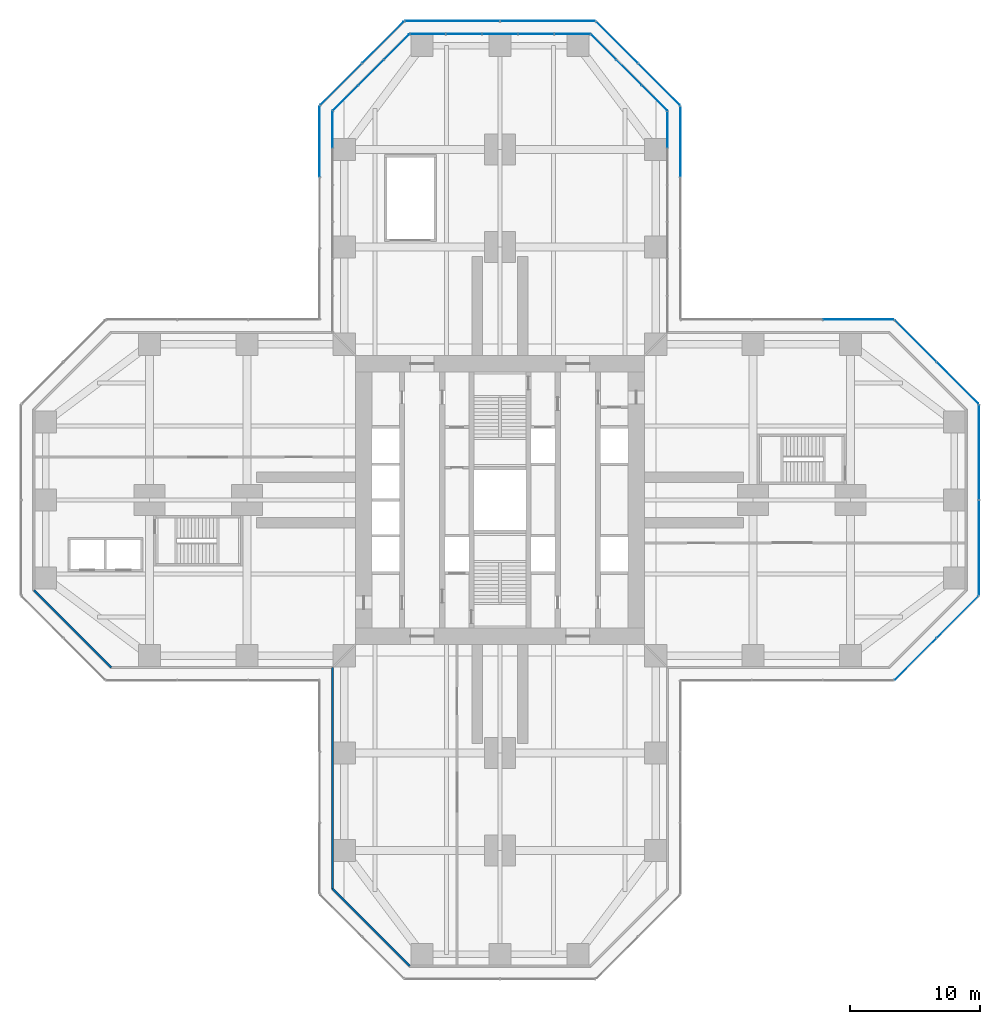
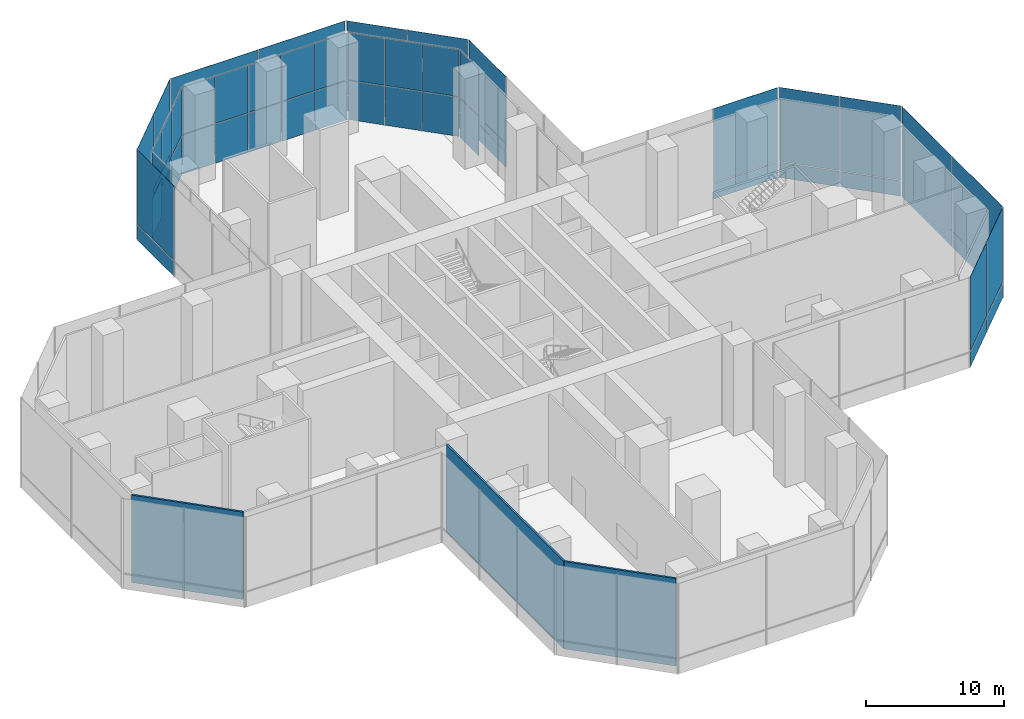
# One storey, part 16 of 25: 56 plates, 3 walls, 14 elements without a shape of their own.
"""IFC4 building model written with IfcOpenShell, lengths in metres."""

from ifc_helpers import new_model, si_unit, direction, frame, frame_2d, origin, origin_2d, place, context, subcontext, project, spatial, rectangle, extrude, material, layer, layer_set, type_object, element, aggregate, save


model = new_model("IFC4")

# Units and contexts
model_context = context("Model", 3, precision=1e-05, world=origin(), true_north=direction((0.0, 1.0)))
body_context = subcontext(model_context, "Body", "Model", "MODEL_VIEW")
ifc_project = project(units=[si_unit("LENGTHUNIT", "METRE"), si_unit("AREAUNIT", "SQUARE_METRE"), si_unit("VOLUMEUNIT", "CUBIC_METRE"), si_unit("PLANEANGLEUNIT", "RADIAN"), si_unit("MASSUNIT", "GRAM", prefix="KILO")], contexts=[model_context])

# Site, building, storey
site_placement = place(None, origin())
site = spatial("IfcSite", under=ifc_project, at=site_placement, CompositionType="ELEMENT")
building_placement = place(site_placement, origin())
building = spatial("IfcBuilding", under=site, at=building_placement, Name="Mizan Broadcast Tower", CompositionType="ELEMENT")
storey_placement = place(building_placement, frame((0.0, 0.0, 7.0)))
storey = spatial("IfcBuildingStorey", under=building, at=storey_placement, Name="L01", CompositionType="ELEMENT", Elevation=7.0)

# Curtain wall, plates
ifc_material_1 = material(Name="Aluminium framed glazing", Category="aluminium")
curtain_wall_type_1 = type_object("IfcCurtainWallType", Name="OUTER SKIN", PredefinedType="USERDEFINED", material=ifc_material_1)
curtain_wall_1_placement = place(storey_placement, origin())
curtain_wall_1 = element("IfcCurtainWall", 1, at=curtain_wall_1_placement, inside=storey, type_object=curtain_wall_type_1, Name="Outer skin L01 E chamfer", ObjectType="OUTER SKIN", PredefinedType="USERDEFINED")
ifc_material_2 = material(Name="Laminated clear glass", Category="glass")
ifc_layer_1 = layer(ifc_material_2, 0.02001953125)
ifc_layer_set_1 = layer_set([ifc_layer_1], Name="Laminated clear glass")
plate_type_1 = type_object("IfcPlateType", Name="OUTER SKIN CLEAR GLASS", PredefinedType="CURTAIN_PANEL", material=ifc_layer_set_1)
plate_1_placement = place(storey_placement, frame((32.018798828125, -12.254150390625, 0.0), z_axis=(0.0, 0.0, 1.0), x_axis=(0.707106781187, 0.707106781187, 0.0)))
plate_1 = element("IfcPlate", 2, at=plate_1_placement, type_object=plate_type_1, Name="Outer skin L01 E chamfer panel 1.1", PredefinedType="CURTAIN_PANEL", context=body_context, shape_type="SweptSolid", body=[
    extrude(rectangle(XDim=4.495361328125, YDim=0.02001953125, at=origin_2d()), origin(), (0.0, 0.0, 1.0), 1.3701171875),
])
plate_2_placement = place(storey_placement, frame((32.018798828125, -12.254150390625, 1.43017578125), z_axis=(0.0, 0.0, 1.0), x_axis=(0.707106781187, 0.707106781187, 0.0)))
plate_2 = element("IfcPlate", 3, at=plate_2_placement, type_object=plate_type_1, Name="Outer skin L01 E chamfer panel 1.2", PredefinedType="CURTAIN_PANEL", context=body_context, shape_type="SweptSolid", body=[
    extrude(rectangle(XDim=4.495361328125, YDim=0.02001953125, at=origin_2d()), origin(), (0.0, 0.0, 1.0), 6.570068359375),
])

curtain_wall_2_placement = place(storey_placement, origin())
curtain_wall_2 = element("IfcCurtainWall", 4, at=curtain_wall_2_placement, inside=storey, type_object=curtain_wall_type_1, Name="Outer skin L01 E end", ObjectType="OUTER SKIN", PredefinedType="USERDEFINED")
plate_3_placement = place(storey_placement, frame((36.89990234375, -3.66650390625, 0.0), z_axis=(0.0, 0.0, 1.0), x_axis=(0.0, 1.0, 0.0)))
plate_3 = element("IfcPlate", 5, at=plate_3_placement, type_object=plate_type_1, Name="Outer skin L01 E end panel 1.1", PredefinedType="CURTAIN_PANEL", context=body_context, shape_type="SweptSolid", body=[
    extrude(rectangle(XDim=7.252685546875, YDim=0.02001953125, at=origin_2d()), origin(), (0.0, 0.0, 1.0), 1.3701171875),
])
plate_4_placement = place(storey_placement, frame((36.89990234375, -3.66650390625, 1.43017578125), z_axis=(0.0, 0.0, 1.0), x_axis=(0.0, 1.0, 0.0)))
plate_4 = element("IfcPlate", 6, at=plate_4_placement, type_object=plate_type_1, Name="Outer skin L01 E end panel 1.2", PredefinedType="CURTAIN_PANEL", context=body_context, shape_type="SweptSolid", body=[
    extrude(rectangle(XDim=7.252685546875, YDim=0.02001953125, at=origin_2d()), origin(), (0.0, 0.0, 1.0), 6.570068359375),
])

curtain_wall_3_placement = place(storey_placement, origin())
curtain_wall_3 = element("IfcCurtainWall", 7, at=curtain_wall_3_placement, inside=storey, type_object=curtain_wall_type_1, Name="Outer skin L01 E chamfer", ObjectType="OUTER SKIN", PredefinedType="USERDEFINED")
plate_5_placement = place(storey_placement, frame((35.254150390625, 9.018798828125, 0.0), z_axis=(0.0, 0.0, 1.0), x_axis=(-0.707106781187, 0.707106781187, 0.0)))
plate_5 = element("IfcPlate", 8, at=plate_5_placement, type_object=plate_type_1, Name="Outer skin L01 E chamfer panel 1.1", PredefinedType="CURTAIN_PANEL", context=body_context, shape_type="SweptSolid", body=[
    extrude(rectangle(XDim=4.495361328125, YDim=0.02001953125, at=origin_2d()), origin(), (0.0, 0.0, 1.0), 1.3701171875),
])
plate_6_placement = place(storey_placement, frame((35.254150390625, 9.018798828125, 1.43017578125), z_axis=(0.0, 0.0, 1.0), x_axis=(-0.707106781187, 0.707106781187, 0.0)))
plate_6 = element("IfcPlate", 9, at=plate_6_placement, type_object=plate_type_1, Name="Outer skin L01 E chamfer panel 1.2", PredefinedType="CURTAIN_PANEL", context=body_context, shape_type="SweptSolid", body=[
    extrude(rectangle(XDim=4.495361328125, YDim=0.02001953125, at=origin_2d()), origin(), (0.0, 0.0, 1.0), 6.570068359375),
])

curtain_wall_4_placement = place(storey_placement, origin())
curtain_wall_4 = element("IfcCurtainWall", 10, at=curtain_wall_4_placement, inside=storey, type_object=curtain_wall_type_1, Name="Outer skin L01 E side", ObjectType="OUTER SKIN", PredefinedType="USERDEFINED")
plate_7_placement = place(storey_placement, frame((27.607421875, 13.89990234375, 0.0), z_axis=(0.0, 0.0, 1.0), x_axis=(-1.0, 0.0, 0.0)))
plate_7 = element("IfcPlate", 11, at=plate_7_placement, type_object=plate_type_1, Name="Outer skin L01 E side panel 1.1", PredefinedType="CURTAIN_PANEL", context=body_context, shape_type="SweptSolid", body=[
    extrude(rectangle(XDim=5.370849609375, YDim=0.02001953125, at=origin_2d()), origin(), (0.0, 0.0, 1.0), 1.3701171875),
])
plate_8_placement = place(storey_placement, frame((27.607421875, 13.89990234375, 1.43017578125), z_axis=(0.0, 0.0, 1.0), x_axis=(-1.0, 0.0, 0.0)))
plate_8 = element("IfcPlate", 12, at=plate_8_placement, type_object=plate_type_1, Name="Outer skin L01 E side panel 1.2", PredefinedType="CURTAIN_PANEL", context=body_context, shape_type="SweptSolid", body=[
    extrude(rectangle(XDim=5.370849609375, YDim=0.02001953125, at=origin_2d()), origin(), (0.0, 0.0, 1.0), 6.570068359375),
])
aggregate(curtain_wall_4, [plate_7, plate_8])

curtain_wall_5_placement = place(storey_placement, origin())
curtain_wall_5 = element("IfcCurtainWall", 13, at=curtain_wall_5_placement, inside=storey, type_object=curtain_wall_type_1, Name="Outer skin L01 N side", ObjectType="OUTER SKIN", PredefinedType="USERDEFINED")
plate_9_placement = place(storey_placement, frame((13.89990234375, 27.607421875, 0.0), z_axis=(0.0, 0.0, 1.0), x_axis=(0.0, 1.0, 0.0)))
plate_9 = element("IfcPlate", 14, at=plate_9_placement, type_object=plate_type_1, Name="Outer skin L01 N side panel 3.1", PredefinedType="CURTAIN_PANEL", context=body_context, shape_type="SweptSolid", body=[
    extrude(rectangle(XDim=5.370849609375, YDim=0.02001953125, at=origin_2d()), origin(), (0.0, 0.0, 1.0), 1.3701171875),
])
plate_10_placement = place(storey_placement, frame((13.89990234375, 27.607421875, 1.43017578125), z_axis=(0.0, 0.0, 1.0), x_axis=(0.0, 1.0, 0.0)))
plate_10 = element("IfcPlate", 15, at=plate_10_placement, type_object=plate_type_1, Name="Outer skin L01 N side panel 3.2", PredefinedType="CURTAIN_PANEL", context=body_context, shape_type="SweptSolid", body=[
    extrude(rectangle(XDim=5.370849609375, YDim=0.02001953125, at=origin_2d()), origin(), (0.0, 0.0, 1.0), 6.570068359375),
])
aggregate(curtain_wall_5, [plate_9, plate_10])

curtain_wall_6_placement = place(storey_placement, origin())
curtain_wall_6 = element("IfcCurtainWall", 16, at=curtain_wall_6_placement, inside=storey, type_object=curtain_wall_type_1, Name="Outer skin L01 N chamfer", ObjectType="OUTER SKIN", PredefinedType="USERDEFINED")
plate_11_placement = place(storey_placement, frame((12.254150390625, 32.018798828125, 0.0), z_axis=(0.0, 0.0, 1.0), x_axis=(-0.707106781187, 0.707106781187, 0.0)))
plate_11 = element("IfcPlate", 17, at=plate_11_placement, type_object=plate_type_1, Name="Outer skin L01 N chamfer panel 1.1", PredefinedType="CURTAIN_PANEL", context=body_context, shape_type="SweptSolid", body=[
    extrude(rectangle(XDim=4.495361328125, YDim=0.02001953125, at=origin_2d()), origin(), (0.0, 0.0, 1.0), 1.3701171875),
])
plate_12_placement = place(storey_placement, frame((12.254150390625, 32.018798828125, 1.43017578125), z_axis=(0.0, 0.0, 1.0), x_axis=(-0.707106781187, 0.707106781187, 0.0)))
plate_12 = element("IfcPlate", 18, at=plate_12_placement, type_object=plate_type_1, Name="Outer skin L01 N chamfer panel 1.2", PredefinedType="CURTAIN_PANEL", context=body_context, shape_type="SweptSolid", body=[
    extrude(rectangle(XDim=4.495361328125, YDim=0.02001953125, at=origin_2d()), origin(), (0.0, 0.0, 1.0), 6.570068359375),
])

curtain_wall_7_placement = place(storey_placement, origin())
curtain_wall_7 = element("IfcCurtainWall", 19, at=curtain_wall_7_placement, inside=storey, type_object=curtain_wall_type_1, Name="Outer skin L01 N end", ObjectType="OUTER SKIN", PredefinedType="USERDEFINED")
plate_13_placement = place(storey_placement, frame((3.66650390625, 36.89990234375, 0.0), z_axis=(0.0, 0.0, 1.0), x_axis=(-1.0, 0.0, 0.0)))
plate_13 = element("IfcPlate", 20, at=plate_13_placement, type_object=plate_type_1, Name="Outer skin L01 N end panel 1.1", PredefinedType="CURTAIN_PANEL", context=body_context, shape_type="SweptSolid", body=[
    extrude(rectangle(XDim=7.252685546875, YDim=0.02001953125, at=origin_2d()), origin(), (0.0, 0.0, 1.0), 1.3701171875),
])
plate_14_placement = place(storey_placement, frame((3.66650390625, 36.89990234375, 1.43017578125), z_axis=(0.0, 0.0, 1.0), x_axis=(-1.0, 0.0, 0.0)))
plate_14 = element("IfcPlate", 21, at=plate_14_placement, type_object=plate_type_1, Name="Outer skin L01 N end panel 1.2", PredefinedType="CURTAIN_PANEL", context=body_context, shape_type="SweptSolid", body=[
    extrude(rectangle(XDim=7.252685546875, YDim=0.02001953125, at=origin_2d()), origin(), (0.0, 0.0, 1.0), 6.570068359375),
])
plate_15_placement = place(storey_placement, frame((-3.66650390625, 36.89990234375, 0.0), z_axis=(0.0, 0.0, 1.0), x_axis=(-1.0, 0.0, 0.0)))
plate_15 = element("IfcPlate", 22, at=plate_15_placement, type_object=plate_type_1, Name="Outer skin L01 N end panel 2.1", PredefinedType="CURTAIN_PANEL", context=body_context, shape_type="SweptSolid", body=[
    extrude(rectangle(XDim=7.252685546875, YDim=0.02001953125, at=origin_2d()), origin(), (0.0, 0.0, 1.0), 1.3701171875),
])
plate_16_placement = place(storey_placement, frame((-3.66650390625, 36.89990234375, 1.43017578125), z_axis=(0.0, 0.0, 1.0), x_axis=(-1.0, 0.0, 0.0)))
plate_16 = element("IfcPlate", 23, at=plate_16_placement, type_object=plate_type_1, Name="Outer skin L01 N end panel 2.2", PredefinedType="CURTAIN_PANEL", context=body_context, shape_type="SweptSolid", body=[
    extrude(rectangle(XDim=7.252685546875, YDim=0.02001953125, at=origin_2d()), origin(), (0.0, 0.0, 1.0), 6.570068359375),
])
aggregate(curtain_wall_7, [plate_13, plate_14, plate_15, plate_16])

curtain_wall_8_placement = place(storey_placement, origin())
curtain_wall_8 = element("IfcCurtainWall", 24, at=curtain_wall_8_placement, inside=storey, type_object=curtain_wall_type_1, Name="Outer skin L01 N chamfer", ObjectType="OUTER SKIN", PredefinedType="USERDEFINED")
plate_17_placement = place(storey_placement, frame((-9.018798828125, 35.254150390625, 0.0), z_axis=(0.0, 0.0, 1.0), x_axis=(-0.707106781187, -0.707106781187, 0.0)))
plate_17 = element("IfcPlate", 25, at=plate_17_placement, type_object=plate_type_1, Name="Outer skin L01 N chamfer panel 1.1", PredefinedType="CURTAIN_PANEL", context=body_context, shape_type="SweptSolid", body=[
    extrude(rectangle(XDim=4.495361328125, YDim=0.02001953125, at=origin_2d()), origin(), (0.0, 0.0, 1.0), 1.3701171875),
])
plate_18_placement = place(storey_placement, frame((-9.018798828125, 35.254150390625, 1.43017578125), z_axis=(0.0, 0.0, 1.0), x_axis=(-0.707106781187, -0.707106781187, 0.0)))
plate_18 = element("IfcPlate", 26, at=plate_18_placement, type_object=plate_type_1, Name="Outer skin L01 N chamfer panel 1.2", PredefinedType="CURTAIN_PANEL", context=body_context, shape_type="SweptSolid", body=[
    extrude(rectangle(XDim=4.495361328125, YDim=0.02001953125, at=origin_2d()), origin(), (0.0, 0.0, 1.0), 6.570068359375),
])

curtain_wall_9_placement = place(storey_placement, origin())
curtain_wall_9 = element("IfcCurtainWall", 27, at=curtain_wall_9_placement, inside=storey, type_object=curtain_wall_type_1, Name="Outer skin L01 N side", ObjectType="OUTER SKIN", PredefinedType="USERDEFINED")
plate_19_placement = place(storey_placement, frame((-13.89990234375, 27.607421875, 0.0), z_axis=(0.0, 0.0, 1.0), x_axis=(0.0, -1.0, 0.0)))
plate_19 = element("IfcPlate", 28, at=plate_19_placement, type_object=plate_type_1, Name="Outer skin L01 N side panel 1.1", PredefinedType="CURTAIN_PANEL", context=body_context, shape_type="SweptSolid", body=[
    extrude(rectangle(XDim=5.370849609375, YDim=0.02001953125, at=origin_2d()), origin(), (0.0, 0.0, 1.0), 1.3701171875),
])
plate_20_placement = place(storey_placement, frame((-13.89990234375, 27.607421875, 1.43017578125), z_axis=(0.0, 0.0, 1.0), x_axis=(0.0, -1.0, 0.0)))
plate_20 = element("IfcPlate", 29, at=plate_20_placement, type_object=plate_type_1, Name="Outer skin L01 N side panel 1.2", PredefinedType="CURTAIN_PANEL", context=body_context, shape_type="SweptSolid", body=[
    extrude(rectangle(XDim=5.370849609375, YDim=0.02001953125, at=origin_2d()), origin(), (0.0, 0.0, 1.0), 6.570068359375),
])
aggregate(curtain_wall_9, [plate_19, plate_20])

# Plate
ifc_material_3 = material(Name="Perforated aluminium, pale anodised", Category="aluminium")
ifc_layer_2 = layer(ifc_material_3, 0.011962890625)
ifc_layer_set_2 = layer_set([ifc_layer_2], Name="Perforated aluminium, pale anodised")
plate_type_2 = type_object("IfcPlateType", Name="OUTER SKIN PERFORATED SCREEN", PredefinedType="USERDEFINED", material=ifc_layer_set_2)
plate_21_placement = place(storey_placement, frame((35.254150390625, -9.018798828125, 0.0), z_axis=(0.0, 0.0, 1.0), x_axis=(0.707106781187, 0.707106781187, 0.0)))
plate_21 = element("IfcPlate", 30, at=plate_21_placement, type_object=plate_type_2, Name="Outer skin L01 E chamfer panel 2.1", ObjectType="SCREEN", PredefinedType="USERDEFINED", context=body_context, shape_type="SweptSolid", body=[
    extrude(rectangle(XDim=4.495361328125, YDim=0.011962890625, at=origin_2d()), origin(), (0.0, 0.0, 1.0), 1.3701171875),
])

plate_22_placement = place(storey_placement, frame((35.254150390625, -9.018798828125, 1.43017578125), z_axis=(0.0, 0.0, 1.0), x_axis=(0.707106781187, 0.707106781187, 0.0)))
plate_22 = element("IfcPlate", 31, at=plate_22_placement, type_object=plate_type_2, Name="Outer skin L01 E chamfer panel 2.2", ObjectType="SCREEN", PredefinedType="USERDEFINED", context=body_context, shape_type="SweptSolid", body=[
    extrude(rectangle(XDim=4.495361328125, YDim=0.011962890625, at=origin_2d()), origin(), (0.0, 0.0, 1.0), 6.570068359375),
])

aggregate(curtain_wall_1, [plate_1, plate_2, plate_21, plate_22])

plate_23_placement = place(storey_placement, frame((36.89990234375, 3.66650390625, 0.0), z_axis=(0.0, 0.0, 1.0), x_axis=(0.0, 1.0, 0.0)))
plate_23 = element("IfcPlate", 32, at=plate_23_placement, type_object=plate_type_2, Name="Outer skin L01 E end panel 2.1", ObjectType="SCREEN", PredefinedType="USERDEFINED", context=body_context, shape_type="SweptSolid", body=[
    extrude(rectangle(XDim=7.252685546875, YDim=0.011962890625, at=origin_2d()), origin(), (0.0, 0.0, 1.0), 1.3701171875),
])

plate_24_placement = place(storey_placement, frame((36.89990234375, 3.66650390625, 1.43017578125), z_axis=(0.0, 0.0, 1.0), x_axis=(0.0, 1.0, 0.0)))
plate_24 = element("IfcPlate", 33, at=plate_24_placement, type_object=plate_type_2, Name="Outer skin L01 E end panel 2.2", ObjectType="SCREEN", PredefinedType="USERDEFINED", context=body_context, shape_type="SweptSolid", body=[
    extrude(rectangle(XDim=7.252685546875, YDim=0.011962890625, at=origin_2d()), origin(), (0.0, 0.0, 1.0), 6.570068359375),
])

aggregate(curtain_wall_2, [plate_3, plate_4, plate_23, plate_24])

plate_25_placement = place(storey_placement, frame((32.018798828125, 12.254150390625, 0.0), z_axis=(0.0, 0.0, 1.0), x_axis=(-0.707106781187, 0.707106781187, 0.0)))
plate_25 = element("IfcPlate", 34, at=plate_25_placement, type_object=plate_type_2, Name="Outer skin L01 E chamfer panel 2.1", ObjectType="SCREEN", PredefinedType="USERDEFINED", context=body_context, shape_type="SweptSolid", body=[
    extrude(rectangle(XDim=4.495361328125, YDim=0.011962890625, at=origin_2d()), origin(), (0.0, 0.0, 1.0), 1.3701171875),
])

plate_26_placement = place(storey_placement, frame((32.018798828125, 12.254150390625, 1.43017578125), z_axis=(0.0, 0.0, 1.0), x_axis=(-0.707106781187, 0.707106781187, 0.0)))
plate_26 = element("IfcPlate", 35, at=plate_26_placement, type_object=plate_type_2, Name="Outer skin L01 E chamfer panel 2.2", ObjectType="SCREEN", PredefinedType="USERDEFINED", context=body_context, shape_type="SweptSolid", body=[
    extrude(rectangle(XDim=4.495361328125, YDim=0.011962890625, at=origin_2d()), origin(), (0.0, 0.0, 1.0), 6.570068359375),
])

aggregate(curtain_wall_3, [plate_5, plate_6, plate_25, plate_26])

plate_27_placement = place(storey_placement, frame((9.018798828125, 35.254150390625, 0.0), z_axis=(0.0, 0.0, 1.0), x_axis=(-0.707106781187, 0.707106781187, 0.0)))
plate_27 = element("IfcPlate", 36, at=plate_27_placement, type_object=plate_type_2, Name="Outer skin L01 N chamfer panel 2.1", ObjectType="SCREEN", PredefinedType="USERDEFINED", context=body_context, shape_type="SweptSolid", body=[
    extrude(rectangle(XDim=4.495361328125, YDim=0.011962890625, at=origin_2d()), origin(), (0.0, 0.0, 1.0), 1.3701171875),
])

plate_28_placement = place(storey_placement, frame((9.018798828125, 35.254150390625, 1.43017578125), z_axis=(0.0, 0.0, 1.0), x_axis=(-0.707106781187, 0.707106781187, 0.0)))
plate_28 = element("IfcPlate", 37, at=plate_28_placement, type_object=plate_type_2, Name="Outer skin L01 N chamfer panel 2.2", ObjectType="SCREEN", PredefinedType="USERDEFINED", context=body_context, shape_type="SweptSolid", body=[
    extrude(rectangle(XDim=4.495361328125, YDim=0.011962890625, at=origin_2d()), origin(), (0.0, 0.0, 1.0), 6.570068359375),
])

aggregate(curtain_wall_6, [plate_11, plate_12, plate_27, plate_28])

plate_29_placement = place(storey_placement, frame((-12.254150390625, 32.018798828125, 0.0), z_axis=(0.0, 0.0, 1.0), x_axis=(-0.707106781187, -0.707106781187, 0.0)))
plate_29 = element("IfcPlate", 38, at=plate_29_placement, type_object=plate_type_2, Name="Outer skin L01 N chamfer panel 2.1", ObjectType="SCREEN", PredefinedType="USERDEFINED", context=body_context, shape_type="SweptSolid", body=[
    extrude(rectangle(XDim=4.495361328125, YDim=0.011962890625, at=origin_2d()), origin(), (0.0, 0.0, 1.0), 1.3701171875),
])

plate_30_placement = place(storey_placement, frame((-12.254150390625, 32.018798828125, 1.43017578125), z_axis=(0.0, 0.0, 1.0), x_axis=(-0.707106781187, -0.707106781187, 0.0)))
plate_30 = element("IfcPlate", 39, at=plate_30_placement, type_object=plate_type_2, Name="Outer skin L01 N chamfer panel 2.2", ObjectType="SCREEN", PredefinedType="USERDEFINED", context=body_context, shape_type="SweptSolid", body=[
    extrude(rectangle(XDim=4.495361328125, YDim=0.011962890625, at=origin_2d()), origin(), (0.0, 0.0, 1.0), 6.570068359375),
])

aggregate(curtain_wall_8, [plate_17, plate_18, plate_29, plate_30])

# Curtain wall, plates
ifc_material_4 = material(Name="Aluminium framed glazing", Category="aluminium")
curtain_wall_type_2 = type_object("IfcCurtainWallType", Name="PODIUM CURTAIN WALL", PredefinedType="USERDEFINED", material=ifc_material_4)
curtain_wall_10_placement = place(storey_placement, origin())
curtain_wall_10 = element("IfcCurtainWall", 40, at=curtain_wall_10_placement, inside=storey, type_object=curtain_wall_type_2, Name="Podium curtain wall L01 N side", ObjectType="PODIUM CURTAIN WALL", PredefinedType="USERDEFINED")
ifc_material_5 = material(Name="Double glazing, clear laminated", Category="glass")
ifc_layer_3 = layer(ifc_material_5, 0.031982421875)
ifc_layer_set_3 = layer_set([ifc_layer_3], Name="Double glazing, clear laminated")
plate_type_3 = type_object("IfcPlateType", Name="PODIUM GLAZING UNIT", PredefinedType="CURTAIN_PANEL", material=ifc_layer_set_3)
plate_31_placement = place(storey_placement, frame((12.89990234375, 28.52197265625, 0.0), z_axis=(0.0, 0.0, 1.0), x_axis=(0.0, 1.0, 0.0)))
plate_31 = element("IfcPlate", 41, at=plate_31_placement, type_object=plate_type_3, Name="Podium curtain wall L01 N side panel 6.1", PredefinedType="CURTAIN_PANEL", context=body_context, shape_type="SweptSolid", body=[
    extrude(rectangle(XDim=2.753173828125, YDim=0.031982421875, at=origin_2d()), origin(), (0.0, 0.0, 1.0), 3.469970703125),
])
plate_32_placement = place(storey_placement, frame((12.89990234375, 28.52197265625, 3.5302734375), z_axis=(0.0, 0.0, 1.0), x_axis=(0.0, 1.0, 0.0)))
plate_32 = element("IfcPlate", 42, at=plate_32_placement, type_object=plate_type_3, Name="Podium curtain wall L01 N side panel 6.2", PredefinedType="CURTAIN_PANEL", context=body_context, shape_type="SweptSolid", body=[
    extrude(rectangle(XDim=2.753173828125, YDim=0.031982421875, at=origin_2d()), origin(), (0.0, 0.0, 1.0), 4.159912109375),
])
aggregate(curtain_wall_10, [plate_31, plate_32])

curtain_wall_11_placement = place(storey_placement, origin())
curtain_wall_11 = element("IfcCurtainWall", 43, at=curtain_wall_11_placement, inside=storey, type_object=curtain_wall_type_2, Name="Podium curtain wall L01 N chamfer", ObjectType="PODIUM CURTAIN WALL", PredefinedType="USERDEFINED")
plate_33_placement = place(storey_placement, frame((11.899169921875, 30.95947265625, 0.0), z_axis=(0.0, 0.0, 1.0), x_axis=(-0.707106781187, 0.707106781187, 0.0)))
plate_33 = element("IfcPlate", 44, at=plate_33_placement, type_object=plate_type_3, Name="Podium curtain wall L01 N chamfer panel 1.1", PredefinedType="CURTAIN_PANEL", context=body_context, shape_type="SweptSolid", body=[
    extrude(rectangle(XDim=2.710693359375, YDim=0.031982421875, at=origin_2d()), origin(), (0.0, 0.0, 1.0), 3.469970703125),
])
plate_34_placement = place(storey_placement, frame((11.899169921875, 30.95947265625, 3.5302734375), z_axis=(0.0, 0.0, 1.0), x_axis=(-0.707106781187, 0.707106781187, 0.0)))
plate_34 = element("IfcPlate", 45, at=plate_34_placement, type_object=plate_type_3, Name="Podium curtain wall L01 N chamfer panel 1.2", PredefinedType="CURTAIN_PANEL", context=body_context, shape_type="SweptSolid", body=[
    extrude(rectangle(XDim=2.710693359375, YDim=0.031982421875, at=origin_2d()), origin(), (0.0, 0.0, 1.0), 4.159912109375),
])
plate_35_placement = place(storey_placement, frame((9.92919921875, 32.92919921875, 0.0), z_axis=(0.0, 0.0, 1.0), x_axis=(-0.707106781187, 0.707106781187, 0.0)))
plate_35 = element("IfcPlate", 46, at=plate_35_placement, type_object=plate_type_3, Name="Podium curtain wall L01 N chamfer panel 2.1", PredefinedType="CURTAIN_PANEL", context=body_context, shape_type="SweptSolid", body=[
    extrude(rectangle(XDim=2.74072265625, YDim=0.031982421875, at=origin_2d()), origin(), (0.0, 0.0, 1.0), 3.469970703125),
])
plate_36_placement = place(storey_placement, frame((9.92919921875, 32.92919921875, 3.5302734375), z_axis=(0.0, 0.0, 1.0), x_axis=(-0.707106781187, 0.707106781187, 0.0)))
plate_36 = element("IfcPlate", 47, at=plate_36_placement, type_object=plate_type_3, Name="Podium curtain wall L01 N chamfer panel 2.2", PredefinedType="CURTAIN_PANEL", context=body_context, shape_type="SweptSolid", body=[
    extrude(rectangle(XDim=2.74072265625, YDim=0.031982421875, at=origin_2d()), origin(), (0.0, 0.0, 1.0), 4.159912109375),
])
plate_37_placement = place(storey_placement, frame((7.95947265625, 34.899169921875, 0.0), z_axis=(0.0, 0.0, 1.0), x_axis=(-0.707106781187, 0.707106781187, 0.0)))
plate_37 = element("IfcPlate", 48, at=plate_37_placement, type_object=plate_type_3, Name="Podium curtain wall L01 N chamfer panel 3.1", PredefinedType="CURTAIN_PANEL", context=body_context, shape_type="SweptSolid", body=[
    extrude(rectangle(XDim=2.710693359375, YDim=0.031982421875, at=origin_2d()), origin(), (0.0, 0.0, 1.0), 3.469970703125),
])
plate_38_placement = place(storey_placement, frame((7.95947265625, 34.899169921875, 3.5302734375), z_axis=(0.0, 0.0, 1.0), x_axis=(-0.707106781187, 0.707106781187, 0.0)))
plate_38 = element("IfcPlate", 49, at=plate_38_placement, type_object=plate_type_3, Name="Podium curtain wall L01 N chamfer panel 3.2", PredefinedType="CURTAIN_PANEL", context=body_context, shape_type="SweptSolid", body=[
    extrude(rectangle(XDim=2.710693359375, YDim=0.031982421875, at=origin_2d()), origin(), (0.0, 0.0, 1.0), 4.159912109375),
])
aggregate(curtain_wall_11, [plate_33, plate_34, plate_35, plate_36, plate_37, plate_38])

curtain_wall_12_placement = place(storey_placement, origin())
curtain_wall_12 = element("IfcCurtainWall", 50, at=curtain_wall_12_placement, inside=storey, type_object=curtain_wall_type_2, Name="Podium curtain wall L01 N end", ObjectType="PODIUM CURTAIN WALL", PredefinedType="USERDEFINED")
plate_39_placement = place(storey_placement, frame((5.5517578125, 35.89990234375, 0.0), z_axis=(0.0, 0.0, 1.0), x_axis=(-1.0, 0.0, 0.0)))
plate_39 = element("IfcPlate", 51, at=plate_39_placement, type_object=plate_type_3, Name="Podium curtain wall L01 N end panel 1.1", PredefinedType="CURTAIN_PANEL", context=body_context, shape_type="SweptSolid", body=[
    extrude(rectangle(XDim=2.693359375, YDim=0.031982421875, at=origin_2d()), origin(), (0.0, 0.0, 1.0), 3.469970703125),
])
plate_40_placement = place(storey_placement, frame((5.5517578125, 35.89990234375, 3.5302734375), z_axis=(0.0, 0.0, 1.0), x_axis=(-1.0, 0.0, 0.0)))
plate_40 = element("IfcPlate", 52, at=plate_40_placement, type_object=plate_type_3, Name="Podium curtain wall L01 N end panel 1.2", PredefinedType="CURTAIN_PANEL", context=body_context, shape_type="SweptSolid", body=[
    extrude(rectangle(XDim=2.693359375, YDim=0.031982421875, at=origin_2d()), origin(), (0.0, 0.0, 1.0), 4.159912109375),
])
plate_41_placement = place(storey_placement, frame((2.783447265625, 35.89990234375, 0.0), z_axis=(0.0, 0.0, 1.0), x_axis=(-1.0, 0.0, 0.0)))
plate_41 = element("IfcPlate", 53, at=plate_41_placement, type_object=plate_type_3, Name="Podium curtain wall L01 N end panel 2.1", PredefinedType="CURTAIN_PANEL", context=body_context, shape_type="SweptSolid", body=[
    extrude(rectangle(XDim=2.723388671875, YDim=0.031982421875, at=origin_2d()), origin(), (0.0, 0.0, 1.0), 3.469970703125),
])
plate_42_placement = place(storey_placement, frame((2.783447265625, 35.89990234375, 3.5302734375), z_axis=(0.0, 0.0, 1.0), x_axis=(-1.0, 0.0, 0.0)))
plate_42 = element("IfcPlate", 54, at=plate_42_placement, type_object=plate_type_3, Name="Podium curtain wall L01 N end panel 2.2", PredefinedType="CURTAIN_PANEL", context=body_context, shape_type="SweptSolid", body=[
    extrude(rectangle(XDim=2.723388671875, YDim=0.031982421875, at=origin_2d()), origin(), (0.0, 0.0, 1.0), 4.159912109375),
])
plate_43_placement = place(storey_placement, frame((0.0, 35.89990234375, 0.0), z_axis=(0.0, 0.0, 1.0), x_axis=(-1.0, 0.0, 0.0)))
plate_43 = element("IfcPlate", 55, at=plate_43_placement, type_object=plate_type_3, Name="Podium curtain wall L01 N end panel 3.1", PredefinedType="CURTAIN_PANEL", context=body_context, shape_type="SweptSolid", body=[
    extrude(rectangle(XDim=2.723388671875, YDim=0.031982421875, at=origin_2d()), origin(), (0.0, 0.0, 1.0), 3.469970703125),
])
plate_44_placement = place(storey_placement, frame((0.0, 35.89990234375, 3.5302734375), z_axis=(0.0, 0.0, 1.0), x_axis=(-1.0, 0.0, 0.0)))
plate_44 = element("IfcPlate", 56, at=plate_44_placement, type_object=plate_type_3, Name="Podium curtain wall L01 N end panel 3.2", PredefinedType="CURTAIN_PANEL", context=body_context, shape_type="SweptSolid", body=[
    extrude(rectangle(XDim=2.723388671875, YDim=0.031982421875, at=origin_2d()), origin(), (0.0, 0.0, 1.0), 4.159912109375),
])
plate_45_placement = place(storey_placement, frame((-2.783447265625, 35.89990234375, 0.0), z_axis=(0.0, 0.0, 1.0), x_axis=(-1.0, 0.0, 0.0)))
plate_45 = element("IfcPlate", 57, at=plate_45_placement, type_object=plate_type_3, Name="Podium curtain wall L01 N end panel 4.1", PredefinedType="CURTAIN_PANEL", context=body_context, shape_type="SweptSolid", body=[
    extrude(rectangle(XDim=2.723388671875, YDim=0.031982421875, at=origin_2d()), origin(), (0.0, 0.0, 1.0), 3.469970703125),
])
plate_46_placement = place(storey_placement, frame((-2.783447265625, 35.89990234375, 3.5302734375), z_axis=(0.0, 0.0, 1.0), x_axis=(-1.0, 0.0, 0.0)))
plate_46 = element("IfcPlate", 58, at=plate_46_placement, type_object=plate_type_3, Name="Podium curtain wall L01 N end panel 4.2", PredefinedType="CURTAIN_PANEL", context=body_context, shape_type="SweptSolid", body=[
    extrude(rectangle(XDim=2.723388671875, YDim=0.031982421875, at=origin_2d()), origin(), (0.0, 0.0, 1.0), 4.159912109375),
])
plate_47_placement = place(storey_placement, frame((-5.5517578125, 35.89990234375, 0.0), z_axis=(0.0, 0.0, 1.0), x_axis=(-1.0, 0.0, 0.0)))
plate_47 = element("IfcPlate", 59, at=plate_47_placement, type_object=plate_type_3, Name="Podium curtain wall L01 N end panel 5.1", PredefinedType="CURTAIN_PANEL", context=body_context, shape_type="SweptSolid", body=[
    extrude(rectangle(XDim=2.693359375, YDim=0.031982421875, at=origin_2d()), origin(), (0.0, 0.0, 1.0), 3.469970703125),
])
plate_48_placement = place(storey_placement, frame((-5.5517578125, 35.89990234375, 3.5302734375), z_axis=(0.0, 0.0, 1.0), x_axis=(-1.0, 0.0, 0.0)))
plate_48 = element("IfcPlate", 60, at=plate_48_placement, type_object=plate_type_3, Name="Podium curtain wall L01 N end panel 5.2", PredefinedType="CURTAIN_PANEL", context=body_context, shape_type="SweptSolid", body=[
    extrude(rectangle(XDim=2.693359375, YDim=0.031982421875, at=origin_2d()), origin(), (0.0, 0.0, 1.0), 4.159912109375),
])
aggregate(curtain_wall_12, [plate_39, plate_40, plate_41, plate_42, plate_43, plate_44, plate_45, plate_46, plate_47, plate_48])

curtain_wall_13_placement = place(storey_placement, origin())
curtain_wall_13 = element("IfcCurtainWall", 61, at=curtain_wall_13_placement, inside=storey, type_object=curtain_wall_type_2, Name="Podium curtain wall L01 N chamfer", ObjectType="PODIUM CURTAIN WALL", PredefinedType="USERDEFINED")
plate_49_placement = place(storey_placement, frame((-7.95947265625, 34.899169921875, 0.0), z_axis=(0.0, 0.0, 1.0), x_axis=(-0.707106781187, -0.707106781187, 0.0)))
plate_49 = element("IfcPlate", 62, at=plate_49_placement, type_object=plate_type_3, Name="Podium curtain wall L01 N chamfer panel 1.1", PredefinedType="CURTAIN_PANEL", context=body_context, shape_type="SweptSolid", body=[
    extrude(rectangle(XDim=2.710693359375, YDim=0.031982421875, at=origin_2d()), origin(), (0.0, 0.0, 1.0), 3.469970703125),
])
plate_50_placement = place(storey_placement, frame((-7.95947265625, 34.899169921875, 3.5302734375), z_axis=(0.0, 0.0, 1.0), x_axis=(-0.707106781187, -0.707106781187, 0.0)))
plate_50 = element("IfcPlate", 63, at=plate_50_placement, type_object=plate_type_3, Name="Podium curtain wall L01 N chamfer panel 1.2", PredefinedType="CURTAIN_PANEL", context=body_context, shape_type="SweptSolid", body=[
    extrude(rectangle(XDim=2.710693359375, YDim=0.031982421875, at=origin_2d()), origin(), (0.0, 0.0, 1.0), 4.159912109375),
])
plate_51_placement = place(storey_placement, frame((-9.92919921875, 32.92919921875, 0.0), z_axis=(0.0, 0.0, 1.0), x_axis=(-0.707106781187, -0.707106781187, 0.0)))
plate_51 = element("IfcPlate", 64, at=plate_51_placement, type_object=plate_type_3, Name="Podium curtain wall L01 N chamfer panel 2.1", PredefinedType="CURTAIN_PANEL", context=body_context, shape_type="SweptSolid", body=[
    extrude(rectangle(XDim=2.74072265625, YDim=0.031982421875, at=origin_2d()), origin(), (0.0, 0.0, 1.0), 3.469970703125),
])
plate_52_placement = place(storey_placement, frame((-9.92919921875, 32.92919921875, 3.5302734375), z_axis=(0.0, 0.0, 1.0), x_axis=(-0.707106781187, -0.707106781187, 0.0)))
plate_52 = element("IfcPlate", 65, at=plate_52_placement, type_object=plate_type_3, Name="Podium curtain wall L01 N chamfer panel 2.2", PredefinedType="CURTAIN_PANEL", context=body_context, shape_type="SweptSolid", body=[
    extrude(rectangle(XDim=2.74072265625, YDim=0.031982421875, at=origin_2d()), origin(), (0.0, 0.0, 1.0), 4.159912109375),
])
plate_53_placement = place(storey_placement, frame((-11.899169921875, 30.95947265625, 0.0), z_axis=(0.0, 0.0, 1.0), x_axis=(-0.707106781187, -0.707106781187, 0.0)))
plate_53 = element("IfcPlate", 66, at=plate_53_placement, type_object=plate_type_3, Name="Podium curtain wall L01 N chamfer panel 3.1", PredefinedType="CURTAIN_PANEL", context=body_context, shape_type="SweptSolid", body=[
    extrude(rectangle(XDim=2.710693359375, YDim=0.031982421875, at=origin_2d()), origin(), (0.0, 0.0, 1.0), 3.469970703125),
])
plate_54_placement = place(storey_placement, frame((-11.899169921875, 30.95947265625, 3.5302734375), z_axis=(0.0, 0.0, 1.0), x_axis=(-0.707106781187, -0.707106781187, 0.0)))
plate_54 = element("IfcPlate", 67, at=plate_54_placement, type_object=plate_type_3, Name="Podium curtain wall L01 N chamfer panel 3.2", PredefinedType="CURTAIN_PANEL", context=body_context, shape_type="SweptSolid", body=[
    extrude(rectangle(XDim=2.710693359375, YDim=0.031982421875, at=origin_2d()), origin(), (0.0, 0.0, 1.0), 4.159912109375),
])
aggregate(curtain_wall_13, [plate_49, plate_50, plate_51, plate_52, plate_53, plate_54])

curtain_wall_14_placement = place(storey_placement, origin())
curtain_wall_14 = element("IfcCurtainWall", 68, at=curtain_wall_14_placement, inside=storey, type_object=curtain_wall_type_2, Name="Podium curtain wall L01 N side", ObjectType="PODIUM CURTAIN WALL", PredefinedType="USERDEFINED")
plate_55_placement = place(storey_placement, frame((-12.89990234375, 28.52197265625, 0.0), z_axis=(0.0, 0.0, 1.0), x_axis=(0.0, -1.0, 0.0)))
plate_55 = element("IfcPlate", 69, at=plate_55_placement, type_object=plate_type_3, Name="Podium curtain wall L01 N side panel 1.1", PredefinedType="CURTAIN_PANEL", context=body_context, shape_type="SweptSolid", body=[
    extrude(rectangle(XDim=2.753173828125, YDim=0.031982421875, at=origin_2d()), origin(), (0.0, 0.0, 1.0), 3.469970703125),
])
plate_56_placement = place(storey_placement, frame((-12.89990234375, 28.52197265625, 3.5302734375), z_axis=(0.0, 0.0, 1.0), x_axis=(0.0, -1.0, 0.0)))
plate_56 = element("IfcPlate", 70, at=plate_56_placement, type_object=plate_type_3, Name="Podium curtain wall L01 N side panel 1.2", PredefinedType="CURTAIN_PANEL", context=body_context, shape_type="SweptSolid", body=[
    extrude(rectangle(XDim=2.753173828125, YDim=0.031982421875, at=origin_2d()), origin(), (0.0, 0.0, 1.0), 4.159912109375),
])
aggregate(curtain_wall_14, [plate_55, plate_56])

# Walls
ifc_material_6 = material(Name="Insulated aluminium panel wall", Category="aluminium")
ifc_layer_4 = layer(ifc_material_6, 0.159912109375)
ifc_layer_set_4 = layer_set([ifc_layer_4], Name="Insulated aluminium panel wall")
wall_type = type_object("IfcWallType", Name="STUDIO CLADDING WALL 160", PredefinedType="SOLIDWALL", material=ifc_layer_set_4)
wall_1_placement = place(storey_placement, frame((-35.89990234375, -6.95849609375, 0.0), z_axis=(0.0, 0.0, 1.0), x_axis=(0.707106781187, -0.707106781187, 0.0)))
element("IfcWall", 71, at=wall_1_placement, inside=storey, type_object=wall_type, Name="External wall L01 W chamfer", PredefinedType="SOLIDWALL", context=body_context, shape_type="SweptSolid", body=[
    extrude(rectangle(XDim=8.40234375, YDim=0.159912109375, at=frame_2d((4.201171875, 0.0))), origin(), (0.0, 0.0, 1.0), 7.75),
])
wall_2_placement = place(storey_placement, frame((-12.89990234375, -12.89990234375, 0.0), z_axis=(0.0, 0.0, 1.0), x_axis=(0.0, -1.0, 0.0)))
element("IfcWall", 72, at=wall_2_placement, inside=storey, type_object=wall_type, Name="External wall L01 S side", PredefinedType="SOLIDWALL", context=body_context, shape_type="SweptSolid", body=[
    extrude(rectangle(XDim=17.05859375, YDim=0.159912109375, at=frame_2d((8.529296875, 0.0))), origin(), (0.0, 0.0, 1.0), 7.75),
])
wall_3_placement = place(storey_placement, frame((-12.89990234375, -29.95849609375, 0.0), z_axis=(0.0, 0.0, 1.0), x_axis=(0.707106781187, -0.707106781187, 0.0)))
element("IfcWall", 73, at=wall_3_placement, inside=storey, type_object=wall_type, Name="External wall L01 S chamfer", PredefinedType="SOLIDWALL", context=body_context, shape_type="SweptSolid", body=[
    extrude(rectangle(XDim=8.40234375, YDim=0.159912109375, at=frame_2d((4.201171875, 0.0))), origin(), (0.0, 0.0, 1.0), 7.75),
])

save(model, "model.ifc")
